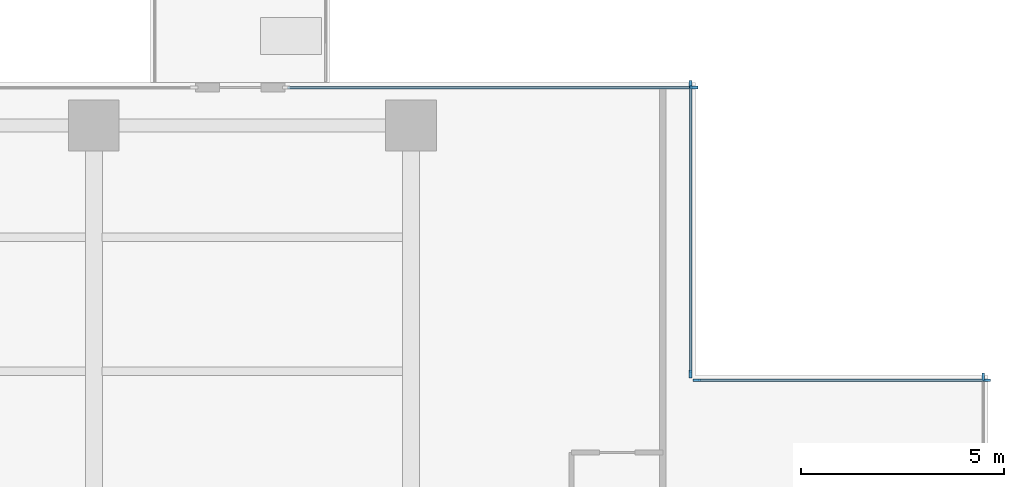
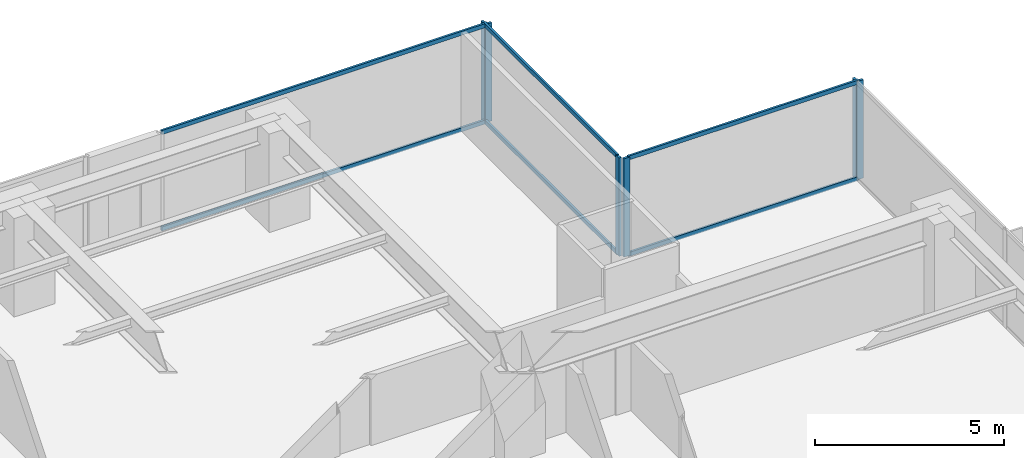
# One storey, part 6 of 16: 12 members, 4 elements without a shape of their own.
"""IFC4 building model written with IfcOpenShell, lengths in metres."""

import ifcopenshell
import ifcopenshell.guid

model = None  # the IFC model being written
_history = None  # IfcOwnerHistory: only IFC2X3 demands one
_inside = {}  # id of a spatial element -> (the spatial element, [elements in it])
_under = {}  # id of a project, library or spatial element -> (it, [spatial elements below it])
_declared = {}  # id of a project -> (the project, [libraries it declares])
_typed = {}  # id of a type object -> (the type object, [elements of that type])
_made_of = {}  # id of a material, layer set ... -> (it, [elements and type objects made of it])


def new_model(schema):
    """Start an empty IFC model of exactly this schema.

    Asked for "IFC4X3", IfcOpenShell would pick the latest addendum, in which some entities
    have other attributes; the version numbers below select the first issue.
    IFC2X3 requires an IfcOwnerHistory on every rooted entity: one is made here for all.
    """
    global model, _history
    if schema == "IFC4X3":
        model = ifcopenshell.file(schema_version=(4, 3, 0, 0))
    else:
        model = ifcopenshell.file(schema=schema)
    _inside.clear()
    _under.clear()
    _declared.clear()
    _typed.clear()
    _made_of.clear()
    _history = None
    if model.schema == "IFC2X3":
        org = make("IfcOrganization", Name="unknown")
        user = make(
            "IfcPersonAndOrganization",
            ThePerson=make("IfcPerson", FamilyName="unknown"),
            TheOrganization=org,
        )
        app = make(
            "IfcApplication",
            ApplicationDeveloper=org,
            Version="unknown",
            ApplicationFullName="unknown",
            ApplicationIdentifier="unknown",
        )
        _history = make(
            "IfcOwnerHistory",
            OwningUser=user,
            OwningApplication=app,
            ChangeAction="ADDED",
            CreationDate=0,
        )
    return model


def make(cls, **values):
    """One entity of the class cls with the attributes given. An attribute that is None is left unset."""
    return model.create_entity(
        cls, **{name: value for name, value in values.items() if value is not None}
    )


def rooted(cls, **values):
    """An entity with a GlobalId (a new one), such as an element, a storey or a relation."""
    return make(cls, GlobalId=ifcopenshell.guid.new(), OwnerHistory=_history, **values)


def si_unit(unit_type, name, prefix=None):
    """IfcSIUnit, for example si_unit("LENGTHUNIT", "METRE", prefix="MILLI")."""
    return make("IfcSIUnit", UnitType=unit_type, Prefix=prefix, Name=name)


def assignment(units):
    """IfcUnitAssignment: the units of a project."""
    return None if units is None else make("IfcUnitAssignment", Units=units)


def point(xyz):
    """IfcCartesianPoint."""
    return None if xyz is None else make("IfcCartesianPoint", Coordinates=xyz)


def direction(xyz):
    """IfcDirection."""
    return None if xyz is None else make("IfcDirection", DirectionRatios=xyz)


def frame(location, z_axis=None, x_axis=None):
    """IfcAxis2Placement3D, a coordinate frame: its origin and axes. An axis left out is left unset."""
    return make(
        "IfcAxis2Placement3D",
        Location=point(location),
        Axis=direction(z_axis),
        RefDirection=direction(x_axis),
    )


def frame_2d(location, x_axis=None):
    """IfcAxis2Placement2D, a coordinate frame in the plane: its origin and x axis."""
    return make(
        "IfcAxis2Placement2D", Location=point(location), RefDirection=direction(x_axis)
    )


def origin():
    """The frame at (0, 0, 0) with its axes left unset."""
    return frame((0.0, 0.0, 0.0))


def origin_2d():
    """The frame at (0, 0) in the plane with its x axis left unset."""
    return frame_2d((0.0, 0.0))


def place(relative_to, where):
    """IfcLocalPlacement: puts the frame where relative to a parent placement (None: the world)."""
    return make(
        "IfcLocalPlacement", PlacementRelTo=relative_to, RelativePlacement=where
    )


def context(
    kind, dimensions, precision=None, world=None, true_north=None, identifier=None
):
    """IfcGeometricRepresentationContext, for example the 3D "Model" context."""
    return make(
        "IfcGeometricRepresentationContext",
        ContextIdentifier=identifier,
        ContextType=kind,
        CoordinateSpaceDimension=dimensions,
        Precision=precision,
        WorldCoordinateSystem=world,
        TrueNorth=true_north,
    )


def subcontext(parent, identifier, kind, view, scale=None):
    """IfcGeometricRepresentationSubContext, for example "Body" below "Model"."""
    return make(
        "IfcGeometricRepresentationSubContext",
        ContextIdentifier=identifier,
        ContextType=kind,
        ParentContext=parent,
        TargetScale=scale,
        TargetView=view,
    )


def project(units=None, contexts=None):
    """IfcProject with its units and contexts."""
    return rooted(
        "IfcProject",
        Name="project",
        RepresentationContexts=contexts,
        UnitsInContext=assignment(units),
    )


def spatial(cls, under=None, at=None, **own):
    """A site, building, storey or space (cls), placed at a placement, below another one or the project."""
    s = rooted(cls, ObjectPlacement=at, **own)
    if under is not None:
        _under.setdefault(under.id(), (under, []))[1].append(s)
    return s


def profile(cls, at=None, kind="AREA", **sizes):
    """A parametric profile (cls). Its sizes go by their IFC names, for example OverallWidth=200.0."""
    return make(cls, ProfileType=kind, Position=at, **sizes)


def rectangle(**sizes):
    """IfcRectangleProfileDef."""
    return profile("IfcRectangleProfileDef", **sizes)


def extrude(swept, where, along, depth):
    """IfcExtrudedAreaSolid: the profile swept, set in the frame where, extruded along a direction by depth."""
    return make(
        "IfcExtrudedAreaSolid",
        SweptArea=swept,
        Position=where,
        ExtrudedDirection=direction(along),
        Depth=depth,
    )


def shape(context_of_items, identifier, shape_type, items):
    """IfcShapeRepresentation: the items that make up one representation, for example the "Body"."""
    return make(
        "IfcShapeRepresentation",
        ContextOfItems=context_of_items,
        RepresentationIdentifier=identifier,
        RepresentationType=shape_type,
        Items=items,
    )


def material(Name=None, Category=None):
    """IfcMaterial."""
    return make("IfcMaterial", Name=Name, Category=Category)


def layer(
    of_material, thickness, ventilated=None, Name=None, Category=None, Priority=None
):
    """IfcMaterialLayer: one layer of a wall or slab, of a material (None: an air gap)."""
    return make(
        "IfcMaterialLayer",
        Material=of_material,
        LayerThickness=thickness,
        IsVentilated=ventilated,
        Name=Name,
        Category=Category,
        Priority=Priority,
    )


def layer_set(layers, Name=None):
    """IfcMaterialLayerSet."""
    return make("IfcMaterialLayerSet", MaterialLayers=layers, LayerSetName=Name)


def material_profile(
    of_material, cross_section, Name=None, Category=None, Priority=None
):
    """IfcMaterialProfile: a cross section and its material."""
    return make(
        "IfcMaterialProfile",
        Name=Name,
        Material=of_material,
        Profile=cross_section,
        Priority=Priority,
        Category=Category,
    )


def profile_set(profiles, Name=None, composite=None):
    """IfcMaterialProfileSet."""
    return make(
        "IfcMaterialProfileSet",
        Name=Name,
        MaterialProfiles=profiles,
        CompositeProfile=composite,
    )


def made_of(thing, what):
    """Note that an element or type object is made of a material, layer set ...; save() writes the relation."""
    if what is not None:
        _made_of.setdefault(what.id(), (what, []))[1].append(thing)
    return thing


def type_object(cls, material=None, **own):
    """A type object (cls), such as IfcWallType, which elements share."""
    return made_of(rooted(cls, **own), material)


def element(
    cls,
    number,
    at=None,
    inside=None,
    cuts=None,
    type_object=None,
    material=None,
    context=None,
    identifier="Body",
    shape_type=None,
    held_by="IfcProductDefinitionShape",
    body=None,
    shapes=None,
    **own,
):
    """One element of the class cls, such as IfcWall. Its Tag is "e" and its number.

    at: its placement. inside: the storey or other place that contains it. cuts: it is an
    opening in that element (IfcRelVoidsElement). A single representation is given by context,
    identifier, shape_type and body (its items); several are given by shapes. held_by: the class
    of the entity that holds the representations. save() writes the other relations.
    """
    e = rooted(cls, Tag="e%d" % number, ObjectPlacement=at, **own)
    if body is not None:
        shapes = [shape(context, identifier, shape_type, body)]
    if shapes is not None:
        e.Representation = make(held_by, Representations=shapes)
    if inside is not None:
        _inside.setdefault(inside.id(), (inside, []))[1].append(e)
    if cuts is not None:
        rooted(
            "IfcRelVoidsElement", RelatingBuildingElement=cuts, RelatedOpeningElement=e
        )
    if type_object is not None:
        _typed.setdefault(type_object.id(), (type_object, []))[1].append(e)
    return made_of(e, material)


def aggregate(whole, parts):
    """IfcRelAggregates: a whole, such as a stair, and the parts it consists of."""
    return rooted("IfcRelAggregates", RelatingObject=whole, RelatedObjects=parts)


def save(model, path):
    """Write the relations noted so far, then the file.

    IfcRelAggregates (storeys below a building ...), IfcRelContainedInSpatialStructure (elements
    in a storey), IfcRelDefinesByType, IfcRelAssociatesMaterial and IfcRelDeclares: one each for
    every whole, place, type object, material and project.
    """
    for whole, parts in _under.values():
        aggregate(whole, parts)
    for where, things in _inside.values():
        rooted(
            "IfcRelContainedInSpatialStructure",
            RelatedElements=things,
            RelatingStructure=where,
        )
    for kind, things in _typed.values():
        rooted("IfcRelDefinesByType", RelatedObjects=things, RelatingType=kind)
    for what, things in _made_of.values():
        rooted("IfcRelAssociatesMaterial", RelatedObjects=things, RelatingMaterial=what)
    for by, libraries in _declared.values():
        rooted("IfcRelDeclares", RelatingContext=by, RelatedDefinitions=libraries)
    model.write(path)


model = new_model("IFC4")

# Units and contexts
model_context = context("Model", 3, precision=1e-05, world=origin(), true_north=direction((0.0, 1.0)))
body_context = subcontext(model_context, "Body", "Model", "MODEL_VIEW")
ifc_project = project(units=[si_unit("LENGTHUNIT", "METRE"), si_unit("AREAUNIT", "SQUARE_METRE"), si_unit("VOLUMEUNIT", "CUBIC_METRE"), si_unit("PLANEANGLEUNIT", "RADIAN"), si_unit("MASSUNIT", "GRAM", prefix="KILO")], contexts=[model_context])

# Site, building, storey
site_placement = place(None, origin())
site = spatial("IfcSite", under=ifc_project, at=site_placement, CompositionType="ELEMENT")
building_placement = place(site_placement, origin())
building = spatial("IfcBuilding", under=site, at=building_placement, Name="Qalmaran Belvedere Hotel", CompositionType="ELEMENT")
storey_placement = place(building_placement, frame((0.0, 0.0, 126.699951171875)))
storey = spatial("IfcBuildingStorey", under=building, at=storey_placement, Name="L32", CompositionType="ELEMENT", Elevation=126.699951171875)

# Curtain wall, member
ifc_material = material(Name="Anodised Bronze Aluminium", Category="aluminium")
ifc_layer = layer(ifc_material, 0.199951171875, Name="Anodised Bronze Aluminium")
ifc_layer_set = layer_set([ifc_layer], Name="Anodised Bronze Aluminium")
curtain_wall_type = type_object("IfcCurtainWallType", Name="CW3-TOWER-LOWMID", PredefinedType="NOTDEFINED", material=ifc_layer_set)
curtain_wall_1_placement = place(storey_placement, origin())
curtain_wall_1 = element("IfcCurtainWall", 1, at=curtain_wall_1_placement, inside=storey, type_object=curtain_wall_type, Name="L32 Curtain Wall CW3", PredefinedType="NOTDEFINED")
ifc_material_profile_1 = material_profile(ifc_material, rectangle(XDim=0.070068359375, YDim=0.18994140625, at=origin_2d()), Name="CWM70X190")
ifc_profile_set_1 = profile_set([ifc_material_profile_1], Name="Anodised Bronze Aluminium")
member_type_1 = type_object("IfcMemberType", Name="CWM-70X190", PredefinedType="MULLION", material=ifc_profile_set_1)
member_1_placement = place(storey_placement, frame((58.8798828125, 39.264892578125, 0.0), z_axis=(0.0, 0.0, 1.0), x_axis=(-1.0, 0.0, 0.0)))
member_1 = element("IfcMember", 2, at=member_1_placement, type_object=member_type_1, Name="CW3 mullion 5", PredefinedType="MULLION", context=body_context, shape_type="SweptSolid", body=[
    extrude(rectangle(XDim=0.070068359375, YDim=0.18994140625, at=origin_2d()), origin(), (0.0, 0.0, 1.0), 3.179931640625),
])
aggregate(curtain_wall_1, [member_1])

# Curtain wall, members
curtain_wall_2_placement = place(storey_placement, origin())
curtain_wall_2 = element("IfcCurtainWall", 3, at=curtain_wall_2_placement, inside=storey, type_object=curtain_wall_type, Name="L32 Curtain Wall CW3", PredefinedType="NOTDEFINED")
member_2_placement = place(storey_placement, frame((58.965087890625, 39.179931640625, 0.0), z_axis=(0.0, 0.0, 1.0), x_axis=(0.0, -1.0, 0.0)))
member_2 = element("IfcMember", 4, at=member_2_placement, type_object=member_type_1, Name="CW3 mullion 1", PredefinedType="MULLION", context=body_context, shape_type="SweptSolid", body=[
    extrude(rectangle(XDim=0.070068359375, YDim=0.18994140625, at=origin_2d()), origin(), (0.0, 0.0, 1.0), 3.179931640625),
])
member_3_placement = place(storey_placement, frame((51.8349609375, 39.179931640625, 0.0), z_axis=(0.0, 0.0, 1.0), x_axis=(0.0, -1.0, 0.0)))
member_3 = element("IfcMember", 5, at=member_3_placement, type_object=member_type_1, Name="CW3 mullion 2", PredefinedType="MULLION", context=body_context, shape_type="SweptSolid", body=[
    extrude(rectangle(XDim=0.070068359375, YDim=0.18994140625, at=origin_2d()), origin(), (0.0, 0.0, 1.0), 3.179931640625),
])

curtain_wall_3_placement = place(storey_placement, origin())
curtain_wall_3 = element("IfcCurtainWall", 6, at=curtain_wall_3_placement, inside=storey, type_object=curtain_wall_type, Name="L32 Curtain Wall CW3", PredefinedType="NOTDEFINED")
member_4_placement = place(storey_placement, frame((51.679931640625, 39.3349609375, 0.0), z_axis=(0.0, 0.0, 1.0), x_axis=(-1.0, 0.0, 0.0)))
member_4 = element("IfcMember", 7, at=member_4_placement, type_object=member_type_1, Name="CW3 mullion 1", PredefinedType="MULLION", context=body_context, shape_type="SweptSolid", body=[
    extrude(rectangle(XDim=0.070068359375, YDim=0.18994140625, at=origin_2d()), origin(), (0.0, 0.0, 1.0), 3.179931640625),
])
member_5_placement = place(storey_placement, frame((51.679931640625, 46.465087890625, 0.0), z_axis=(0.0, 0.0, 1.0), x_axis=(-1.0, 0.0, 0.0)))
member_5 = element("IfcMember", 8, at=member_5_placement, type_object=member_type_1, Name="CW3 mullion 2", PredefinedType="MULLION", context=body_context, shape_type="SweptSolid", body=[
    extrude(rectangle(XDim=0.070068359375, YDim=0.18994140625, at=origin_2d()), origin(), (0.0, 0.0, 1.0), 3.179931640625),
])

# Curtain wall, member
curtain_wall_4_placement = place(storey_placement, origin())
curtain_wall_4 = element("IfcCurtainWall", 9, at=curtain_wall_4_placement, inside=storey, type_object=curtain_wall_type, Name="L32 Curtain Wall CW3", PredefinedType="NOTDEFINED")
member_6_placement = place(storey_placement, frame((51.764892578125, 46.3798828125, 0.0), z_axis=(0.0, 0.0, 1.0), x_axis=(0.0, -1.0, 0.0)))
member_6 = element("IfcMember", 10, at=member_6_placement, type_object=member_type_1, Name="CW3 mullion 1", PredefinedType="MULLION", context=body_context, shape_type="SweptSolid", body=[
    extrude(rectangle(XDim=0.070068359375, YDim=0.18994140625, at=origin_2d()), origin(), (0.0, 0.0, 1.0), 3.179931640625),
])

# Member
ifc_material_profile_2 = material_profile(ifc_material, rectangle(XDim=0.06494140625, YDim=0.1298828125, at=origin_2d()), Name="CWT65X130")
ifc_profile_set_2 = profile_set([ifc_material_profile_2], Name="Anodised Bronze Aluminium")
member_type_2 = type_object("IfcMemberType", Name="CWT-65X130", PredefinedType="USERDEFINED", material=ifc_profile_set_2)
member_7_placement = place(storey_placement, frame((58.929931640625, 39.179931640625, 0.032470703125), z_axis=(-1.0, 0.0, 0.0), x_axis=(0.0, -1.0, 0.0)))
member_7 = element("IfcMember", 11, at=member_7_placement, type_object=member_type_2, Name="CW3 transom 1.1", ObjectType="TRANSOM", PredefinedType="USERDEFINED", context=body_context, shape_type="SweptSolid", body=[
    extrude(rectangle(XDim=0.06494140625, YDim=0.1298828125, at=origin_2d()), origin(), (0.0, 0.0, 1.0), 7.059814453125),
])

member_8_placement = place(storey_placement, frame((58.929931640625, 39.179931640625, 3.1474609375), z_axis=(-1.0, 0.0, 0.0), x_axis=(0.0, -1.0, 0.0)))
member_8 = element("IfcMember", 12, at=member_8_placement, type_object=member_type_2, Name="CW3 transom 1.2", ObjectType="TRANSOM", PredefinedType="USERDEFINED", context=body_context, shape_type="SweptSolid", body=[
    extrude(rectangle(XDim=0.06494140625, YDim=0.1298828125, at=origin_2d()), origin(), (0.0, 0.0, 1.0), 7.059814453125),
])

aggregate(curtain_wall_2, [member_2, member_3, member_7, member_8])

member_9_placement = place(storey_placement, frame((51.679931640625, 39.3701171875, 0.032470703125), z_axis=(0.0, 1.0, 0.0), x_axis=(-1.0, 0.0, 0.0)))
member_9 = element("IfcMember", 13, at=member_9_placement, type_object=member_type_2, Name="CW3 transom 1.1", ObjectType="TRANSOM", PredefinedType="USERDEFINED", context=body_context, shape_type="SweptSolid", body=[
    extrude(rectangle(XDim=0.06494140625, YDim=0.1298828125, at=origin_2d()), origin(), (0.0, 0.0, 1.0), 7.059814453125),
])

member_10_placement = place(storey_placement, frame((51.679931640625, 39.3701171875, 3.1474609375), z_axis=(0.0, 1.0, 0.0), x_axis=(-1.0, 0.0, 0.0)))
member_10 = element("IfcMember", 14, at=member_10_placement, type_object=member_type_2, Name="CW3 transom 1.2", ObjectType="TRANSOM", PredefinedType="USERDEFINED", context=body_context, shape_type="SweptSolid", body=[
    extrude(rectangle(XDim=0.06494140625, YDim=0.1298828125, at=origin_2d()), origin(), (0.0, 0.0, 1.0), 7.059814453125),
])

aggregate(curtain_wall_3, [member_4, member_5, member_9, member_10])

member_11_placement = place(storey_placement, frame((51.72998046875, 46.3798828125, 0.032470703125), z_axis=(-1.0, 0.0, 0.0), x_axis=(0.0, -1.0, 0.0)))
member_11 = element("IfcMember", 15, at=member_11_placement, type_object=member_type_2, Name="CW3 transom 1.1", ObjectType="TRANSOM", PredefinedType="USERDEFINED", context=body_context, shape_type="SweptSolid", body=[
    extrude(rectangle(XDim=0.06494140625, YDim=0.1298828125, at=origin_2d()), origin(), (0.0, 0.0, 1.0), 9.9599609375),
])

member_12_placement = place(storey_placement, frame((51.72998046875, 46.3798828125, 3.1474609375), z_axis=(-1.0, 0.0, 0.0), x_axis=(0.0, -1.0, 0.0)))
member_12 = element("IfcMember", 16, at=member_12_placement, type_object=member_type_2, Name="CW3 transom 1.2", ObjectType="TRANSOM", PredefinedType="USERDEFINED", context=body_context, shape_type="SweptSolid", body=[
    extrude(rectangle(XDim=0.06494140625, YDim=0.1298828125, at=origin_2d()), origin(), (0.0, 0.0, 1.0), 9.9599609375),
])

aggregate(curtain_wall_4, [member_6, member_11, member_12])

save(model, "model.ifc")
